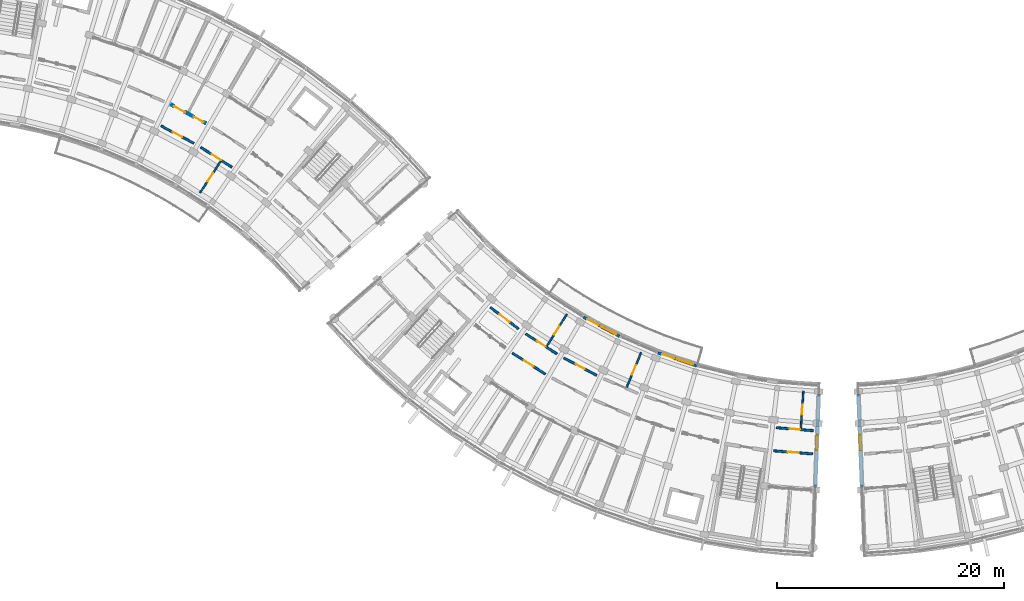
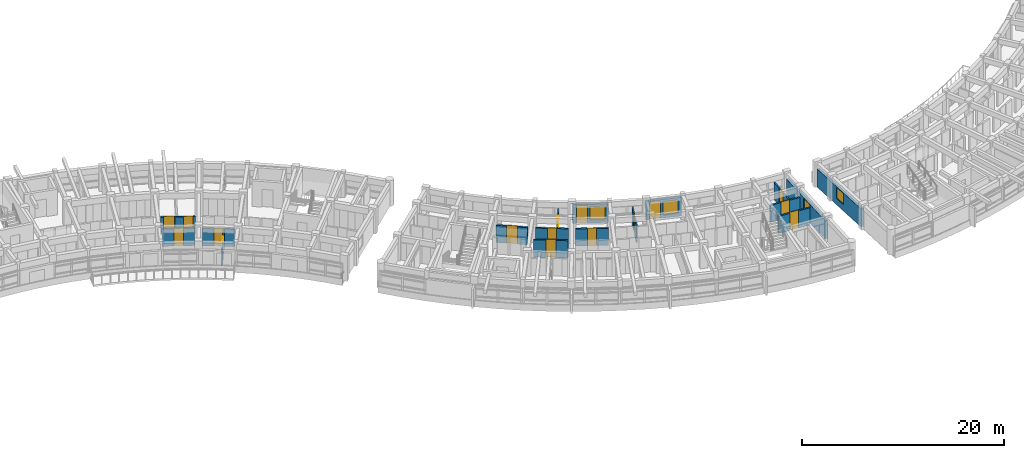
# One storey, part 35 of 56: 17 walls, 16 doors, 4 windows, 20 openings.
"""IFC4 building model written with IfcOpenShell, lengths in metres."""

from ifc_helpers import new_model, si_unit, direction, frame, frame_2d, origin, place, context, subcontext, project, spatial, rectangle, extrude, material, layer, layer_set, type_object, element, fill, save


model = new_model("IFC4")

# Units and contexts
model_context = context("Model", 3, precision=1e-05, world=origin(), true_north=direction((0.0, 1.0)))
body_context = subcontext(model_context, "Body", "Model", "MODEL_VIEW")
ifc_project = project(units=[si_unit("LENGTHUNIT", "METRE"), si_unit("AREAUNIT", "SQUARE_METRE"), si_unit("VOLUMEUNIT", "CUBIC_METRE"), si_unit("PLANEANGLEUNIT", "RADIAN"), si_unit("MASSUNIT", "GRAM", prefix="KILO")], contexts=[model_context])

# Site, building, storey
site_placement = place(None, origin())
site = spatial("IfcSite", under=ifc_project, at=site_placement, CompositionType="ELEMENT")
building_placement = place(site_placement, origin())
building = spatial("IfcBuilding", under=site, at=building_placement, Name="Zimvara Arc Housing Community", CompositionType="ELEMENT")
storey_placement = place(building_placement, frame((0.0, 0.0, 17.39990234375)))
storey = spatial("IfcBuildingStorey", under=building, at=storey_placement, Name="L05", CompositionType="ELEMENT", Elevation=17.39990234375)

# Wall, opening, window
ifc_material_1 = material(Name="Board-Marked Fair-Faced Concrete C35/45", Category="concrete")
ifc_layer_1 = layer(ifc_material_1, 0.264892578125)
ifc_layer_set_1 = layer_set([ifc_layer_1], Name="Board-Marked Fair-Faced Concrete C35/45")
wall_type_1 = type_object("IfcWallType", Name="EWL-CONC-265", PredefinedType="SOLIDWALL", material=ifc_layer_set_1)
wall_1_placement = place(storey_placement, frame((124.23876953125, 64.533447265625, 0.0), z_axis=(0.0, 0.0, 1.0), x_axis=(-0.038407966241, -0.999262141847, 0.0)))
wall_1 = element("IfcWall", 1, at=wall_1_placement, inside=storey, type_object=wall_type_1, Name="ewall:blkC:L05:gN", PredefinedType="SOLIDWALL", context=body_context, shape_type="SweptSolid", body=[
    extrude(rectangle(XDim=8.199951171875, YDim=0.264892578125, at=frame_2d((4.10009765625, 0.0))), origin(), (0.0, 0.0, 1.0), 2.18017578125),
])
opening_1_placement = place(wall_1_placement, frame((3.590087890625, 0.0, 0.75)))
opening_1 = element("IfcOpeningElement", 2, at=opening_1_placement, cuts=wall_1, Name="Opening W12", PredefinedType="OPENING", context=body_context, shape_type="SweptSolid", body=[
    extrude(rectangle(XDim=1.35009765625, YDim=1.35009765625, at=frame_2d((0.675048828125, 0.675048828125))), frame((0.0, 0.142333984375, 0.0), z_axis=(0.0, -1.0, 0.0), x_axis=(1.0, 0.0, 0.0)), (0.0, 0.0, 1.0), 0.284912109375),
])
ifc_material_2 = material(Name="Solar Control Low-E Double Glazing", Category="glass")
window_type_1 = type_object("IfcWindowType", Name="WIN-RES-1350x1350", PartitioningType="DOUBLE_PANEL_VERTICAL", PredefinedType="WINDOW", material=ifc_material_2)
window_1_placement = place(opening_1_placement, origin())
window_1 = element("IfcWindow", 3, at=window_1_placement, inside=storey, type_object=window_type_1, Name="win:blkC:L05:gN:w", OverallHeight=1.35009765625, OverallWidth=1.35009765625, PartitioningType="DOUBLE_PANEL_VERTICAL", PredefinedType="WINDOW", context=body_context, shape_type="SweptSolid", body=[
    extrude(rectangle(XDim=1.35009765625, YDim=1.35009765625, at=frame_2d((0.675048828125, 0.675048828125))), frame((0.0, 0.030029296875, 0.0), z_axis=(0.0, -1.0, 0.0), x_axis=(1.0, 0.0, 0.0)), (0.0, 0.0, 1.0), 0.06005859375),
])
fill(opening_1, window_1)

wall_2_placement = place(storey_placement, frame((127.72119140625, 64.533447265625, 0.0), z_axis=(0.0, 0.0, 1.0), x_axis=(0.038407966241, -0.999262141847, 0.0)))
wall_2 = element("IfcWall", 4, at=wall_2_placement, inside=storey, type_object=wall_type_1, Name="ewall:blkD:L05:g0", PredefinedType="SOLIDWALL", context=body_context, shape_type="SweptSolid", body=[
    extrude(rectangle(XDim=8.199951171875, YDim=0.264892578125, at=frame_2d((4.10009765625, 0.0))), origin(), (0.0, 0.0, 1.0), 2.18017578125),
])
opening_2_placement = place(wall_2_placement, frame((3.590087890625, 0.0, 0.75)))
opening_2 = element("IfcOpeningElement", 5, at=opening_2_placement, cuts=wall_2, Name="Opening W12", PredefinedType="OPENING", context=body_context, shape_type="SweptSolid", body=[
    extrude(rectangle(XDim=1.35009765625, YDim=1.35009765625, at=frame_2d((0.675048828125, 0.675048828125))), frame((0.0, 0.142333984375, 0.0), z_axis=(0.0, -1.0, 0.0), x_axis=(1.0, 0.0, 0.0)), (0.0, 0.0, 1.0), 0.284912109375),
])
window_2_placement = place(opening_2_placement, origin())
window_2 = element("IfcWindow", 6, at=window_2_placement, inside=storey, type_object=window_type_1, Name="win:blkD:L05:g0:w", OverallHeight=1.35009765625, OverallWidth=1.35009765625, PartitioningType="DOUBLE_PANEL_VERTICAL", PredefinedType="WINDOW", context=body_context, shape_type="SweptSolid", body=[
    extrude(rectangle(XDim=1.35009765625, YDim=1.35009765625, at=frame_2d((0.675048828125, 0.675048828125))), frame((0.0, 0.030029296875, 0.0), z_axis=(0.0, -1.0, 0.0), x_axis=(1.0, 0.0, 0.0)), (0.0, 0.0, 1.0), 0.06005859375),
])
fill(opening_2, window_2)

# Wall, openings, door, window
ifc_material_3 = material(Name="Pigmented Fair-Faced Concrete C35/45", Category="concrete")
ifc_layer_2 = layer(ifc_material_3, 0.2451171875)
ifc_layer_set_2 = layer_set([ifc_layer_2], Name="Pigmented Fair-Faced Concrete C35/45")
wall_type_2 = type_object("IfcWallType", Name="EWL-PIGM-245", PredefinedType="SOLIDWALL", material=ifc_layer_set_2)
wall_3_placement = place(storey_placement, frame((103.4990234375, 71.318115234375, 0.0), z_axis=(0.0, 0.0, 1.0), x_axis=(0.883438308286, -0.468547495407, 0.0)))
wall_3 = element("IfcWall", 7, at=wall_3_placement, inside=storey, type_object=wall_type_2, Name="ewall:blkC:L05:in:b4", PredefinedType="SOLIDWALL", context=body_context, shape_type="SweptSolid", body=[
    extrude(rectangle(XDim=3.603759765625, YDim=0.2451171875, at=frame_2d((1.8017578125, 0.0))), origin(), (0.0, 0.0, 1.0), 2.25),
])
opening_3_placement = place(wall_3_placement, frame((0.39990234375, 0.0, 0.0)))
opening_3 = element("IfcOpeningElement", 8, at=opening_3_placement, cuts=wall_3, Name="Opening ED06", PredefinedType="OPENING", context=body_context, shape_type="SweptSolid", body=[
    extrude(rectangle(XDim=1.10009765625, YDim=2.14990234375, at=frame_2d((0.550048828125, 1.074951171875))), frame((0.0, 0.132568359375, 0.0), z_axis=(0.0, -1.0, 0.0), x_axis=(1.0, 0.0, 0.0)), (0.0, 0.0, 1.0), 0.26513671875),
])
opening_4_placement = place(wall_3_placement, frame((1.753662109375, 0.0, 0.35009765625)))
opening_4 = element("IfcOpeningElement", 9, at=opening_4_placement, cuts=wall_3, Name="Opening W07", PredefinedType="OPENING", context=body_context, shape_type="SweptSolid", body=[
    extrude(rectangle(XDim=1.5, YDim=1.64990234375, at=frame_2d((0.75, 0.824951171875))), frame((0.0, 0.132568359375, 0.0), z_axis=(0.0, -1.0, 0.0), x_axis=(1.0, 0.0, 0.0)), (0.0, 0.0, 1.0), 0.26513671875),
])
ifc_material_4 = material(Name="Anodised Aluminium AW-6063", Category="aluminium")
door_type_1 = type_object("IfcDoorType", Name="EDR-TERR-1100x2150", OperationType="NOTDEFINED", PredefinedType="DOOR", material=ifc_material_4)
door_1_placement = place(opening_3_placement, origin())
door_1 = element("IfcDoor", 10, at=door_1_placement, inside=storey, type_object=door_type_1, Name="edoor:blkC:L05:bal_in:b4", OperationType="SINGLE_SWING_RIGHT", OverallHeight=2.14990234375, OverallWidth=1.10009765625, PredefinedType="DOOR", context=body_context, shape_type="SweptSolid", body=[
    extrude(rectangle(XDim=1.10009765625, YDim=2.14990234375, at=frame_2d((0.550048828125, 1.074951171875))), frame((0.0, 0.02490234375, 0.0), z_axis=(0.0, -1.0, 0.0), x_axis=(1.0, 0.0, 0.0)), (0.0, 0.0, 1.0), 0.050048828125),
])
fill(opening_3, door_1)
ifc_material_5 = material(Name="Solar Control Low-E Double Glazing", Category="glass")
window_type_2 = type_object("IfcWindowType", Name="WIN-RES-1500x1650", PartitioningType="DOUBLE_PANEL_VERTICAL", PredefinedType="WINDOW", material=ifc_material_5)
window_3_placement = place(opening_4_placement, origin())
window_3 = element("IfcWindow", 11, at=window_3_placement, inside=storey, type_object=window_type_2, Name="win:blkC:L05:in:b4:balw", OverallHeight=1.64990234375, OverallWidth=1.5, PartitioningType="DOUBLE_PANEL_VERTICAL", PredefinedType="WINDOW", context=body_context, shape_type="SweptSolid", body=[
    extrude(rectangle(XDim=1.5, YDim=1.64990234375, at=frame_2d((0.75, 0.824951171875))), frame((0.0, 0.030029296875, 0.0), z_axis=(0.0, -1.0, 0.0), x_axis=(1.0, 0.0, 0.0)), (0.0, 0.0, 1.0), 0.06005859375),
])
fill(opening_4, window_3)

wall_4_placement = place(storey_placement, frame((110.066650390625, 68.175048828125, 0.0), z_axis=(0.0, 0.0, 1.0), x_axis=(0.947887701822, -0.318604621332, 0.0)))
wall_4 = element("IfcWall", 12, at=wall_4_placement, inside=storey, type_object=wall_type_2, Name="ewall:blkC:L05:in:b6", PredefinedType="SOLIDWALL", context=body_context, shape_type="SweptSolid", body=[
    extrude(rectangle(XDim=3.603759765625, YDim=0.2451171875, at=frame_2d((1.8017578125, 0.0))), origin(), (0.0, 0.0, 1.0), 2.25),
])
opening_5_placement = place(wall_4_placement, frame((0.39990234375, 0.0, 0.0)))
opening_5 = element("IfcOpeningElement", 13, at=opening_5_placement, cuts=wall_4, Name="Opening ED06", PredefinedType="OPENING", context=body_context, shape_type="SweptSolid", body=[
    extrude(rectangle(XDim=1.10009765625, YDim=2.14990234375, at=frame_2d((0.550048828125, 1.074951171875))), frame((0.0, 0.132568359375, 0.0), z_axis=(0.0, -1.0, 0.0), x_axis=(1.0, 0.0, 0.0)), (0.0, 0.0, 1.0), 0.26513671875),
])
opening_6_placement = place(wall_4_placement, frame((1.753662109375, 0.0, 0.35009765625)))
opening_6 = element("IfcOpeningElement", 14, at=opening_6_placement, cuts=wall_4, Name="Opening W07", PredefinedType="OPENING", context=body_context, shape_type="SweptSolid", body=[
    extrude(rectangle(XDim=1.5, YDim=1.64990234375, at=frame_2d((0.75, 0.824951171875))), frame((0.0, 0.132568359375, 0.0), z_axis=(0.0, -1.0, 0.0), x_axis=(1.0, 0.0, 0.0)), (0.0, 0.0, 1.0), 0.26513671875),
])
door_2_placement = place(opening_5_placement, origin())
door_2 = element("IfcDoor", 15, at=door_2_placement, inside=storey, type_object=door_type_1, Name="edoor:blkC:L05:bal_in:b6", OperationType="SINGLE_SWING_RIGHT", OverallHeight=2.14990234375, OverallWidth=1.10009765625, PredefinedType="DOOR", context=body_context, shape_type="SweptSolid", body=[
    extrude(rectangle(XDim=1.10009765625, YDim=2.14990234375, at=frame_2d((0.550048828125, 1.074951171875))), frame((0.0, 0.02490234375, 0.0), z_axis=(0.0, -1.0, 0.0), x_axis=(1.0, 0.0, 0.0)), (0.0, 0.0, 1.0), 0.050048828125),
])
fill(opening_5, door_2)
window_4_placement = place(opening_6_placement, origin())
window_4 = element("IfcWindow", 16, at=window_4_placement, inside=storey, type_object=window_type_2, Name="win:blkC:L05:in:b6:balw", OverallHeight=1.64990234375, OverallWidth=1.5, PartitioningType="DOUBLE_PANEL_VERTICAL", PredefinedType="WINDOW", context=body_context, shape_type="SweptSolid", body=[
    extrude(rectangle(XDim=1.5, YDim=1.64990234375, at=frame_2d((0.75, 0.824951171875))), frame((0.0, 0.030029296875, 0.0), z_axis=(0.0, -1.0, 0.0), x_axis=(1.0, 0.0, 0.0)), (0.0, 0.0, 1.0), 0.06005859375),
])
fill(opening_6, window_4)

# Wall, openings, doors
ifc_material_6 = material(Name="Concrete C35/45", Category="concrete")
ifc_layer_3 = layer(ifc_material_6, 0.18994140625)
ifc_layer_set_3 = layer_set([ifc_layer_3], Name="Concrete C35/45")
wall_type_3 = type_object("IfcWallType", Name="IWL-CORR-190", PredefinedType="SOLIDWALL", material=ifc_layer_set_3)
wall_5_placement = place(storey_placement, frame((67.1943359375, 90.013916015625, 0.0), z_axis=(0.0, 0.0, 1.0), x_axis=(0.883410853063, -0.468599258099, 0.0)))
wall_5 = element("IfcWall", 17, at=wall_5_placement, inside=storey, type_object=wall_type_3, Name="iwall:blkB:L05:corr_out:b5", PredefinedType="SOLIDWALL", context=body_context, shape_type="SweptSolid", body=[
    extrude(rectangle(XDim=3.43603515625, YDim=0.18994140625, at=frame_2d((1.718017578125, 0.0))), origin(), (0.0, 0.0, 1.0), 2.080078125),
])
opening_7_placement = place(wall_5_placement, frame((0.280029296875, 0.0, 0.0)))
opening_7 = element("IfcOpeningElement", 18, at=opening_7_placement, cuts=wall_5, Name="Opening D07", PredefinedType="OPENING", context=body_context, shape_type="SweptSolid", body=[
    extrude(rectangle(XDim=1.1201171875, YDim=2.14990234375, at=frame_2d((0.56005859375, 1.074951171875))), frame((0.0, 0.10498046875, 0.0), z_axis=(0.0, -1.0, 0.0), x_axis=(1.0, 0.0, 0.0)), (0.0, 0.0, 1.0), 0.2099609375),
])
opening_8_placement = place(wall_5_placement, frame((2.26611328125, 0.0, 0.0)))
opening_8 = element("IfcOpeningElement", 19, at=opening_8_placement, cuts=wall_5, Name="Opening D06", PredefinedType="OPENING", context=body_context, shape_type="SweptSolid", body=[
    extrude(rectangle(XDim=0.949951171875, YDim=2.10009765625, at=frame_2d((0.47509765625, 1.050048828125))), frame((0.0, 0.10498046875, 0.0), z_axis=(0.0, -1.0, 0.0), x_axis=(1.0, 0.0, 0.0)), (0.0, 0.0, 1.0), 0.2099609375),
])
ifc_material_7 = material(Name="Mozambican Hardwood", Category="wood")
door_type_2 = type_object("IfcDoorType", Name="IDR-AMN-1120x2150", OperationType="NOTDEFINED", PredefinedType="DOOR", material=ifc_material_7)
door_3_placement = place(opening_7_placement, origin())
door_3 = element("IfcDoor", 20, at=door_3_placement, inside=storey, type_object=door_type_2, Name="idoor:blkB:L05:amen:b5", OperationType="SINGLE_SWING_RIGHT", OverallHeight=2.14990234375, OverallWidth=1.1201171875, PredefinedType="DOOR", context=body_context, shape_type="SweptSolid", body=[
    extrude(rectangle(XDim=1.1201171875, YDim=2.14990234375, at=frame_2d((0.56005859375, 1.074951171875))), frame((0.0, 0.02490234375, 0.0), z_axis=(0.0, -1.0, 0.0), x_axis=(1.0, 0.0, 0.0)), (0.0, 0.0, 1.0), 0.050048828125),
])
fill(opening_7, door_3)
ifc_material_8 = material(Name="Mozambican Hardwood", Category="wood")
door_type_3 = type_object("IfcDoorType", Name="IDR-AWC-0950x2100", OperationType="NOTDEFINED", PredefinedType="DOOR", material=ifc_material_8)
door_4_placement = place(opening_8_placement, origin())
door_4 = element("IfcDoor", 21, at=door_4_placement, inside=storey, type_object=door_type_3, Name="idoor:blkB:L05:cawc:b5", OperationType="SINGLE_SWING_LEFT", OverallHeight=2.10009765625, OverallWidth=0.949951171875, PredefinedType="DOOR", context=body_context, shape_type="SweptSolid", body=[
    extrude(rectangle(XDim=0.949951171875, YDim=2.10009765625, at=frame_2d((0.47509765625, 1.050048828125))), frame((0.0, 0.02490234375, 0.0), z_axis=(0.0, -1.0, 0.0), x_axis=(1.0, 0.0, 0.0)), (0.0, 0.0, 1.0), 0.050048828125),
])
fill(opening_8, door_4)

# Wall, opening, door
wall_6_placement = place(storey_placement, frame((66.30859375, 88.1650390625, 0.0), z_axis=(0.0, 0.0, 1.0), x_axis=(0.883444301944, -0.468536194293, 0.0)))
wall_6 = element("IfcWall", 22, at=wall_6_placement, inside=storey, type_object=wall_type_3, Name="iwall:blkB:L05:corr_in:b5", PredefinedType="SOLIDWALL", context=body_context, shape_type="SweptSolid", body=[
    extrude(rectangle(XDim=3.268798828125, YDim=0.18994140625, at=frame_2d((1.63427734375, 0.0))), origin(), (0.0, 0.0, 1.0), 2.080078125),
])
opening_9_placement = place(wall_6_placement, frame((1.164306640625, 0.0, 0.0)))
opening_9 = element("IfcOpeningElement", 23, at=opening_9_placement, cuts=wall_6, Name="Opening D03", PredefinedType="OPENING", context=body_context, shape_type="SweptSolid", body=[
    extrude(rectangle(XDim=0.93994140625, YDim=2.10009765625, at=frame_2d((0.469970703125, 1.050048828125))), frame((0.0, 0.10498046875, 0.0), z_axis=(0.0, -1.0, 0.0), x_axis=(1.0, 0.0, 0.0)), (0.0, 0.0, 1.0), 0.2099609375),
])
ifc_material_9 = material(Name="Mozambican Hardwood", Category="wood")
door_type_4 = type_object("IfcDoorType", Name="IDR-RM-0940x2100", OperationType="NOTDEFINED", PredefinedType="DOOR", material=ifc_material_9)
door_5_placement = place(opening_9_placement, origin())
door_5 = element("IfcDoor", 24, at=door_5_placement, inside=storey, type_object=door_type_4, Name="idoor:blkB:L05:in_rm:b5", OperationType="SINGLE_SWING_RIGHT", OverallHeight=2.10009765625, OverallWidth=0.93994140625, PredefinedType="DOOR", context=body_context, shape_type="SweptSolid", body=[
    extrude(rectangle(XDim=0.93994140625, YDim=2.10009765625, at=frame_2d((0.469970703125, 1.050048828125))), frame((0.0, 0.02490234375, 0.0), z_axis=(0.0, -1.0, 0.0), x_axis=(1.0, 0.0, 0.0)), (0.0, 0.0, 1.0), 0.050048828125),
])
fill(opening_9, door_5)

wall_7_placement = place(storey_placement, frame((69.80029296875, 86.281005859375, 0.0), z_axis=(0.0, 0.0, 1.0), x_axis=(0.842225276846, -0.539125758095, 0.0)))
wall_7 = element("IfcWall", 25, at=wall_7_placement, inside=storey, type_object=wall_type_3, Name="iwall:blkB:L05:corr_in:b6", PredefinedType="SOLIDWALL", context=body_context, shape_type="SweptSolid", body=[
    extrude(rectangle(XDim=3.2685546875, YDim=0.18994140625, at=frame_2d((1.63427734375, 0.0))), origin(), (0.0, 0.0, 1.0), 2.080078125),
])
opening_10_placement = place(wall_7_placement, frame((1.154296875, 0.0, 0.0)))
opening_10 = element("IfcOpeningElement", 26, at=opening_10_placement, cuts=wall_7, Name="Opening D04", PredefinedType="OPENING", context=body_context, shape_type="SweptSolid", body=[
    extrude(rectangle(XDim=0.9599609375, YDim=2.10009765625, at=frame_2d((0.47998046875, 1.050048828125))), frame((0.0, 0.10498046875, 0.0), z_axis=(0.0, -1.0, 0.0), x_axis=(1.0, 0.0, 0.0)), (0.0, 0.0, 1.0), 0.2099609375),
])
ifc_material_10 = material(Name="Mozambican Hardwood", Category="wood")
door_type_5 = type_object("IfcDoorType", Name="IDR-RM-0960x2100", OperationType="NOTDEFINED", PredefinedType="DOOR", material=ifc_material_10)
door_6_placement = place(opening_10_placement, origin())
door_6 = element("IfcDoor", 27, at=door_6_placement, inside=storey, type_object=door_type_5, Name="idoor:blkB:L05:in_rm:b6", OperationType="SINGLE_SWING_LEFT", OverallHeight=2.10009765625, OverallWidth=0.9599609375, PredefinedType="DOOR", context=body_context, shape_type="SweptSolid", body=[
    extrude(rectangle(XDim=0.9599609375, YDim=2.10009765625, at=frame_2d((0.47998046875, 1.050048828125))), frame((0.0, 0.02490234375, 0.0), z_axis=(0.0, -1.0, 0.0), x_axis=(1.0, 0.0, 0.0)), (0.0, 0.0, 1.0), 0.050048828125),
])
fill(opening_10, door_6)

wall_8_placement = place(storey_placement, frame((95.30908203125, 72.18017578125, 0.0), z_axis=(0.0, 0.0, 1.0), x_axis=(0.795463961918, -0.606000895453, 0.0)))
wall_8 = element("IfcWall", 28, at=wall_8_placement, inside=storey, type_object=wall_type_3, Name="iwall:blkC:L05:ra_div:b2", PredefinedType="SOLIDWALL", context=body_context, shape_type="SweptSolid", body=[
    extrude(rectangle(XDim=3.128662109375, YDim=0.18994140625, at=frame_2d((1.564453125, 0.0))), origin(), (0.0, 0.0, 1.0), 2.080078125),
])
opening_11_placement = place(wall_8_placement, frame((1.00439453125, 0.0, 0.0)))
opening_11 = element("IfcOpeningElement", 29, at=opening_11_placement, cuts=wall_8, Name="Opening D07", PredefinedType="OPENING", context=body_context, shape_type="SweptSolid", body=[
    extrude(rectangle(XDim=1.1201171875, YDim=2.14990234375, at=frame_2d((0.56005859375, 1.074951171875))), frame((0.0, 0.10498046875, 0.0), z_axis=(0.0, -1.0, 0.0), x_axis=(1.0, 0.0, 0.0)), (0.0, 0.0, 1.0), 0.2099609375),
])
door_7_placement = place(opening_11_placement, origin())
door_7 = element("IfcDoor", 30, at=door_7_placement, inside=storey, type_object=door_type_2, Name="idoor:blkC:L05:ra_d:b2", OperationType="SINGLE_SWING_LEFT", OverallHeight=2.14990234375, OverallWidth=1.1201171875, PredefinedType="DOOR", context=body_context, shape_type="SweptSolid", body=[
    extrude(rectangle(XDim=1.1201171875, YDim=2.14990234375, at=frame_2d((0.56005859375, 1.074951171875))), frame((0.0, 0.02490234375, 0.0), z_axis=(0.0, -1.0, 0.0), x_axis=(1.0, 0.0, 0.0)), (0.0, 0.0, 1.0), 0.050048828125),
])
fill(opening_11, door_7)

wall_9_placement = place(storey_placement, frame((97.252197265625, 68.160888671875, 0.0), z_axis=(0.0, 0.0, 1.0), x_axis=(0.842289466461, -0.53902546757, 0.0)))
wall_9 = element("IfcWall", 31, at=wall_9_placement, inside=storey, type_object=wall_type_3, Name="iwall:blkC:L05:corr_out:b3", PredefinedType="SOLIDWALL", context=body_context, shape_type="SweptSolid", body=[
    extrude(rectangle(XDim=3.43603515625, YDim=0.18994140625, at=frame_2d((1.718017578125, 0.0))), origin(), (0.0, 0.0, 1.0), 2.080078125),
])
opening_12_placement = place(wall_9_placement, frame((1.22802734375, 0.0, 0.0)))
opening_12 = element("IfcOpeningElement", 32, at=opening_12_placement, cuts=wall_9, Name="Opening FD-FL1", PredefinedType="OPENING", context=body_context, shape_type="SweptSolid", body=[
    extrude(rectangle(XDim=0.97998046875, YDim=2.14990234375, at=frame_2d((0.489990234375, 1.074951171875))), frame((0.0, 0.10498046875, 0.0), z_axis=(0.0, -1.0, 0.0), x_axis=(1.0, 0.0, 0.0)), (0.0, 0.0, 1.0), 0.2099609375),
])
ifc_material_11 = material(Name="Mozambican Hardwood", Category="wood")
door_type_6 = type_object("IfcDoorType", Name="IDR-FLAT-0980x2150", OperationType="NOTDEFINED", PredefinedType="DOOR", material=ifc_material_11)
door_8_placement = place(opening_12_placement, origin())
door_8 = element("IfcDoor", 33, at=door_8_placement, inside=storey, type_object=door_type_6, Name="idoor:blkC:L05:flat:b3", OperationType="SINGLE_SWING_RIGHT", OverallHeight=2.14990234375, OverallWidth=0.97998046875, PredefinedType="DOOR", context=body_context, shape_type="SweptSolid", body=[
    extrude(rectangle(XDim=0.97998046875, YDim=2.14990234375, at=frame_2d((0.489990234375, 1.074951171875))), frame((0.0, 0.02490234375, 0.0), z_axis=(0.0, -1.0, 0.0), x_axis=(1.0, 0.0, 0.0)), (0.0, 0.0, 1.0), 0.050048828125),
])
fill(opening_12, door_8)

wall_10_placement = place(storey_placement, frame((98.4267578125, 69.841064453125, 0.0), z_axis=(0.0, 0.0, 1.0), x_axis=(0.842280895761, -0.539038860043, 0.0)))
wall_10 = element("IfcWall", 34, at=wall_10_placement, inside=storey, type_object=wall_type_3, Name="iwall:blkC:L05:corr_in:b3", PredefinedType="SOLIDWALL", context=body_context, shape_type="SweptSolid", body=[
    extrude(rectangle(XDim=3.268798828125, YDim=0.18994140625, at=frame_2d((1.63427734375, 0.0))), origin(), (0.0, 0.0, 1.0), 2.080078125),
])
opening_13_placement = place(wall_10_placement, frame((1.184326171875, 0.0, 0.0)))
opening_13 = element("IfcOpeningElement", 35, at=opening_13_placement, cuts=wall_10, Name="Opening D01", PredefinedType="OPENING", context=body_context, shape_type="SweptSolid", body=[
    extrude(rectangle(XDim=0.89990234375, YDim=2.10009765625, at=frame_2d((0.449951171875, 1.050048828125))), frame((0.0, 0.10498046875, 0.0), z_axis=(0.0, -1.0, 0.0), x_axis=(1.0, 0.0, 0.0)), (0.0, 0.0, 1.0), 0.2099609375),
])
ifc_material_12 = material(Name="Mozambican Hardwood", Category="wood")
door_type_7 = type_object("IfcDoorType", Name="IDR-RM-0900x2100", OperationType="NOTDEFINED", PredefinedType="DOOR", material=ifc_material_12)
door_9_placement = place(opening_13_placement, origin())
door_9 = element("IfcDoor", 36, at=door_9_placement, inside=storey, type_object=door_type_7, Name="idoor:blkC:L05:in_rm:b3", OperationType="SINGLE_SWING_LEFT", OverallHeight=2.10009765625, OverallWidth=0.89990234375, PredefinedType="DOOR", context=body_context, shape_type="SweptSolid", body=[
    extrude(rectangle(XDim=0.89990234375, YDim=2.10009765625, at=frame_2d((0.449951171875, 1.050048828125))), frame((0.0, 0.02490234375, 0.0), z_axis=(0.0, -1.0, 0.0), x_axis=(1.0, 0.0, 0.0)), (0.0, 0.0, 1.0), 0.050048828125),
])
fill(opening_13, door_9)

wall_11_placement = place(storey_placement, frame((101.78369140625, 67.726318359375, 0.0), z_axis=(0.0, 0.0, 1.0), x_axis=(0.883444301944, -0.468536194293, 0.0)))
wall_11 = element("IfcWall", 37, at=wall_11_placement, inside=storey, type_object=wall_type_3, Name="iwall:blkC:L05:corr_in:b4", PredefinedType="SOLIDWALL", context=body_context, shape_type="SweptSolid", body=[
    extrude(rectangle(XDim=3.268798828125, YDim=0.18994140625, at=frame_2d((1.63427734375, 0.0))), origin(), (0.0, 0.0, 1.0), 2.080078125),
])
opening_14_placement = place(wall_11_placement, frame((1.17431640625, 0.0, 0.0)))
opening_14 = element("IfcOpeningElement", 38, at=opening_14_placement, cuts=wall_11, Name="Opening D02", PredefinedType="OPENING", context=body_context, shape_type="SweptSolid", body=[
    extrude(rectangle(XDim=0.919921875, YDim=2.10009765625, at=frame_2d((0.4599609375, 1.050048828125))), frame((0.0, 0.10498046875, 0.0), z_axis=(0.0, -1.0, 0.0), x_axis=(1.0, 0.0, 0.0)), (0.0, 0.0, 1.0), 0.2099609375),
])
ifc_material_13 = material(Name="Mozambican Hardwood", Category="wood")
door_type_8 = type_object("IfcDoorType", Name="IDR-RM-0920x2100", OperationType="NOTDEFINED", PredefinedType="DOOR", material=ifc_material_13)
door_10_placement = place(opening_14_placement, origin())
door_10 = element("IfcDoor", 39, at=door_10_placement, inside=storey, type_object=door_type_8, Name="idoor:blkC:L05:in_rm:b4", OperationType="SINGLE_SWING_LEFT", OverallHeight=2.10009765625, OverallWidth=0.919921875, PredefinedType="DOOR", context=body_context, shape_type="SweptSolid", body=[
    extrude(rectangle(XDim=0.919921875, YDim=2.10009765625, at=frame_2d((0.4599609375, 1.050048828125))), frame((0.0, 0.02490234375, 0.0), z_axis=(0.0, -1.0, 0.0), x_axis=(1.0, 0.0, 0.0)), (0.0, 0.0, 1.0), 0.050048828125),
])
fill(opening_14, door_10)

wall_12_placement = place(storey_placement, frame((120.261474609375, 59.547119140625, 0.0), z_axis=(0.0, 0.0, 1.0), x_axis=(0.996862545573, -0.079152165058, 0.0)))
wall_12 = element("IfcWall", 40, at=wall_12_placement, inside=storey, type_object=wall_type_3, Name="iwall:blkC:L05:corr_out:b9", PredefinedType="SOLIDWALL", context=body_context, shape_type="SweptSolid", body=[
    extrude(rectangle(XDim=3.43603515625, YDim=0.18994140625, at=frame_2d((1.718017578125, 0.0))), origin(), (0.0, 0.0, 1.0), 2.080078125),
])
opening_15_placement = place(wall_12_placement, frame((1.22802734375, 0.0, 0.0)))
opening_15 = element("IfcOpeningElement", 41, at=opening_15_placement, cuts=wall_12, Name="Opening FD-FL1", PredefinedType="OPENING", context=body_context, shape_type="SweptSolid", body=[
    extrude(rectangle(XDim=0.97998046875, YDim=2.14990234375, at=frame_2d((0.489990234375, 1.074951171875))), frame((0.0, 0.10498046875, 0.0), z_axis=(0.0, -1.0, 0.0), x_axis=(1.0, 0.0, 0.0)), (0.0, 0.0, 1.0), 0.2099609375),
])
door_11_placement = place(opening_15_placement, origin())
door_11 = element("IfcDoor", 42, at=door_11_placement, inside=storey, type_object=door_type_6, Name="idoor:blkC:L05:flat:b9", OperationType="SINGLE_SWING_LEFT", OverallHeight=2.14990234375, OverallWidth=0.97998046875, PredefinedType="DOOR", context=body_context, shape_type="SweptSolid", body=[
    extrude(rectangle(XDim=0.97998046875, YDim=2.14990234375, at=frame_2d((0.489990234375, 1.074951171875))), frame((0.0, 0.02490234375, 0.0), z_axis=(0.0, -1.0, 0.0), x_axis=(1.0, 0.0, 0.0)), (0.0, 0.0, 1.0), 0.050048828125),
])
fill(opening_15, door_11)

wall_13_placement = place(storey_placement, frame((120.507080078125, 61.582275390625, 0.0), z_axis=(0.0, 0.0, 1.0), x_axis=(0.996860715473, -0.07917521043, 0.0)))
wall_13 = element("IfcWall", 43, at=wall_13_placement, inside=storey, type_object=wall_type_3, Name="iwall:blkC:L05:corr_in:b9", PredefinedType="SOLIDWALL", context=body_context, shape_type="SweptSolid", body=[
    extrude(rectangle(XDim=3.2685546875, YDim=0.18994140625, at=frame_2d((1.63427734375, 0.0))), origin(), (0.0, 0.0, 1.0), 2.080078125),
])
opening_16_placement = place(wall_13_placement, frame((1.164306640625, 0.0, 0.0)))
opening_16 = element("IfcOpeningElement", 44, at=opening_16_placement, cuts=wall_13, Name="Opening D03", PredefinedType="OPENING", context=body_context, shape_type="SweptSolid", body=[
    extrude(rectangle(XDim=0.93994140625, YDim=2.10009765625, at=frame_2d((0.469970703125, 1.050048828125))), frame((0.0, 0.10498046875, 0.0), z_axis=(0.0, -1.0, 0.0), x_axis=(1.0, 0.0, 0.0)), (0.0, 0.0, 1.0), 0.2099609375),
])
door_12_placement = place(opening_16_placement, origin())
door_12 = element("IfcDoor", 45, at=door_12_placement, inside=storey, type_object=door_type_4, Name="idoor:blkC:L05:in_rm:b9", OperationType="SINGLE_SWING_RIGHT", OverallHeight=2.10009765625, OverallWidth=0.93994140625, PredefinedType="DOOR", context=body_context, shape_type="SweptSolid", body=[
    extrude(rectangle(XDim=0.93994140625, YDim=2.10009765625, at=frame_2d((0.469970703125, 1.050048828125))), frame((0.0, 0.02490234375, 0.0), z_axis=(0.0, -1.0, 0.0), x_axis=(1.0, 0.0, 0.0)), (0.0, 0.0, 1.0), 0.050048828125),
])
fill(opening_16, door_12)

ifc_material_14 = material(Name="Painted Acoustic Plasterboard")
ifc_layer_4 = layer(ifc_material_14, 0.14501953125)
ifc_layer_set_4 = layer_set([ifc_layer_4], Name="Painted Acoustic Plasterboard")
wall_type_4 = type_object("IfcWallType", Name="IWL-WET-145", PredefinedType="PARTITIONING", material=ifc_layer_set_4)
wall_14_placement = place(storey_placement, frame((69.73876953125, 82.269287109375, 0.0), z_axis=(0.0, 0.0, 1.0), x_axis=(0.547920940513, 0.836530120765, 0.0)))
wall_14 = element("IfcWall", 46, at=wall_14_placement, inside=storey, type_object=wall_type_4, Name="iwall:blkB:L05:ens:b6", PredefinedType="PARTITIONING", context=body_context, shape_type="SweptSolid", body=[
    extrude(rectangle(XDim=3.300048828125, YDim=0.14501953125, at=frame_2d((1.64990234375, 0.0))), origin(), (0.0, 0.0, 1.0), 2.080078125),
])
opening_17_placement = place(wall_14_placement, frame((1.2099609375, 0.0, 0.0)))
opening_17 = element("IfcOpeningElement", 47, at=opening_17_placement, cuts=wall_14, Name="Opening D05", PredefinedType="OPENING", context=body_context, shape_type="SweptSolid", body=[
    extrude(rectangle(XDim=0.8798828125, YDim=2.10009765625, at=frame_2d((0.43994140625, 1.050048828125))), frame((0.0, 0.08251953125, 0.0), z_axis=(0.0, -1.0, 0.0), x_axis=(1.0, 0.0, 0.0)), (0.0, 0.0, 1.0), 0.1650390625),
])
ifc_material_15 = material(Name="Mozambican Hardwood", Category="wood")
door_type_9 = type_object("IfcDoorType", Name="IDR-WC-0880x2100", OperationType="NOTDEFINED", PredefinedType="DOOR", material=ifc_material_15)
door_13_placement = place(opening_17_placement, origin())
door_13 = element("IfcDoor", 48, at=door_13_placement, inside=storey, type_object=door_type_9, Name="idoor:blkB:L05:ens_d:b6", OperationType="SINGLE_SWING_RIGHT", OverallHeight=2.10009765625, OverallWidth=0.8798828125, PredefinedType="DOOR", context=body_context, shape_type="SweptSolid", body=[
    extrude(rectangle(XDim=0.8798828125, YDim=2.10009765625, at=frame_2d((0.43994140625, 1.050048828125))), frame((0.0, 0.02490234375, 0.0), z_axis=(0.0, -1.0, 0.0), x_axis=(1.0, 0.0, 0.0)), (0.0, 0.0, 1.0), 0.050048828125),
])
fill(opening_17, door_13)

wall_15_placement = place(storey_placement, frame((102.0439453125, 71.576904296875, 0.0), z_axis=(0.0, 0.0, 1.0), x_axis=(-0.53015188203, -0.847902696057, 0.0)))
wall_15 = element("IfcWall", 49, at=wall_15_placement, inside=storey, type_object=wall_type_4, Name="iwall:blkC:L05:ens:b3", PredefinedType="PARTITIONING", context=body_context, shape_type="SweptSolid", body=[
    extrude(rectangle(XDim=3.300048828125, YDim=0.14501953125, at=frame_2d((1.64990234375, 0.0))), origin(), (0.0, 0.0, 1.0), 2.080078125),
])
opening_18_placement = place(wall_15_placement, frame((1.2099609375, 0.0, 0.0)))
opening_18 = element("IfcOpeningElement", 50, at=opening_18_placement, cuts=wall_15, Name="Opening D05", PredefinedType="OPENING", context=body_context, shape_type="SweptSolid", body=[
    extrude(rectangle(XDim=0.8798828125, YDim=2.10009765625, at=frame_2d((0.43994140625, 1.050048828125))), frame((0.0, 0.08251953125, 0.0), z_axis=(0.0, -1.0, 0.0), x_axis=(1.0, 0.0, 0.0)), (0.0, 0.0, 1.0), 0.1650390625),
])
door_14_placement = place(opening_18_placement, origin())
door_14 = element("IfcDoor", 51, at=door_14_placement, inside=storey, type_object=door_type_9, Name="idoor:blkC:L05:ens_d:b3", OperationType="SINGLE_SWING_RIGHT", OverallHeight=2.10009765625, OverallWidth=0.8798828125, PredefinedType="DOOR", context=body_context, shape_type="SweptSolid", body=[
    extrude(rectangle(XDim=0.8798828125, YDim=2.10009765625, at=frame_2d((0.43994140625, 1.050048828125))), frame((0.0, 0.02490234375, 0.0), z_axis=(0.0, -1.0, 0.0), x_axis=(1.0, 0.0, 0.0)), (0.0, 0.0, 1.0), 0.050048828125),
])
fill(opening_18, door_14)

wall_16_placement = place(storey_placement, frame((108.5888671875, 68.19384765625, 0.0), z_axis=(0.0, 0.0, 1.0), x_axis=(-0.385151143297, -0.922853507777, 0.0)))
wall_16 = element("IfcWall", 52, at=wall_16_placement, inside=storey, type_object=wall_type_4, Name="iwall:blkC:L05:ens:b5", PredefinedType="PARTITIONING", context=body_context, shape_type="SweptSolid", body=[
    extrude(rectangle(XDim=3.300048828125, YDim=0.14501953125, at=frame_2d((1.64990234375, 0.0))), origin(), (0.0, 0.0, 1.0), 2.080078125),
])
opening_19_placement = place(wall_16_placement, frame((1.2099609375, 0.0, 0.0)))
opening_19 = element("IfcOpeningElement", 53, at=opening_19_placement, cuts=wall_16, Name="Opening D05", PredefinedType="OPENING", context=body_context, shape_type="SweptSolid", body=[
    extrude(rectangle(XDim=0.8798828125, YDim=2.10009765625, at=frame_2d((0.43994140625, 1.050048828125))), frame((0.0, 0.08251953125, 0.0), z_axis=(0.0, -1.0, 0.0), x_axis=(1.0, 0.0, 0.0)), (0.0, 0.0, 1.0), 0.1650390625),
])
door_15_placement = place(opening_19_placement, origin())
door_15 = element("IfcDoor", 54, at=door_15_placement, inside=storey, type_object=door_type_9, Name="idoor:blkC:L05:ens_d:b5", OperationType="SINGLE_SWING_LEFT", OverallHeight=2.10009765625, OverallWidth=0.8798828125, PredefinedType="DOOR", context=body_context, shape_type="SweptSolid", body=[
    extrude(rectangle(XDim=0.8798828125, YDim=2.10009765625, at=frame_2d((0.43994140625, 1.050048828125))), frame((0.0, 0.02490234375, 0.0), z_axis=(0.0, -1.0, 0.0), x_axis=(1.0, 0.0, 0.0)), (0.0, 0.0, 1.0), 0.050048828125),
])
fill(opening_19, door_15)

wall_17_placement = place(storey_placement, frame((122.88134765625, 64.81640625, 0.0), z_axis=(0.0, 0.0, 1.0), x_axis=(-0.068581194944, -0.997645538105, 0.0)))
wall_17 = element("IfcWall", 55, at=wall_17_placement, inside=storey, type_object=wall_type_4, Name="iwall:blkC:L05:ens:b9", PredefinedType="PARTITIONING", context=body_context, shape_type="SweptSolid", body=[
    extrude(rectangle(XDim=3.300048828125, YDim=0.14501953125, at=frame_2d((1.64990234375, 0.0))), origin(), (0.0, 0.0, 1.0), 2.080078125),
])
opening_20_placement = place(wall_17_placement, frame((1.2099609375, 0.0, 0.0)))
opening_20 = element("IfcOpeningElement", 56, at=opening_20_placement, cuts=wall_17, Name="Opening D05", PredefinedType="OPENING", context=body_context, shape_type="SweptSolid", body=[
    extrude(rectangle(XDim=0.8798828125, YDim=2.10009765625, at=frame_2d((0.43994140625, 1.050048828125))), frame((0.0, 0.08251953125, 0.0), z_axis=(0.0, -1.0, 0.0), x_axis=(1.0, 0.0, 0.0)), (0.0, 0.0, 1.0), 0.1650390625),
])
door_16_placement = place(opening_20_placement, origin())
door_16 = element("IfcDoor", 57, at=door_16_placement, inside=storey, type_object=door_type_9, Name="idoor:blkC:L05:ens_d:b9", OperationType="SINGLE_SWING_LEFT", OverallHeight=2.10009765625, OverallWidth=0.8798828125, PredefinedType="DOOR", context=body_context, shape_type="SweptSolid", body=[
    extrude(rectangle(XDim=0.8798828125, YDim=2.10009765625, at=frame_2d((0.43994140625, 1.050048828125))), frame((0.0, 0.02490234375, 0.0), z_axis=(0.0, -1.0, 0.0), x_axis=(1.0, 0.0, 0.0)), (0.0, 0.0, 1.0), 0.050048828125),
])
fill(opening_20, door_16)

save(model, "model.ifc")
